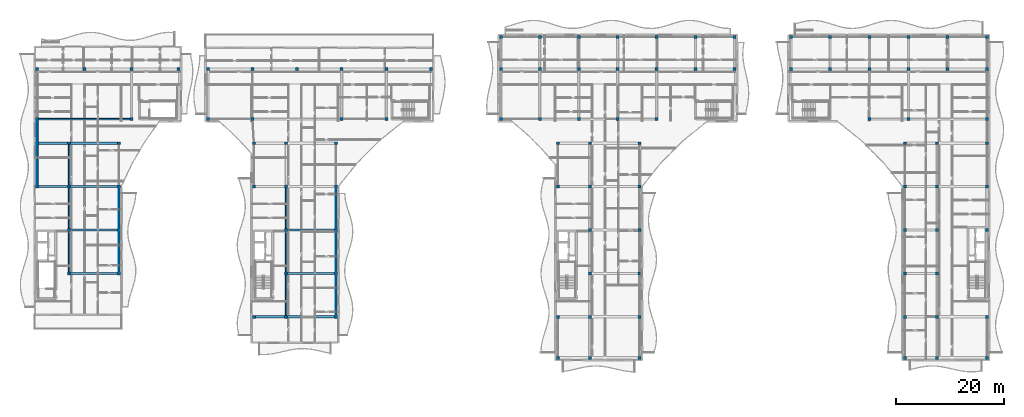
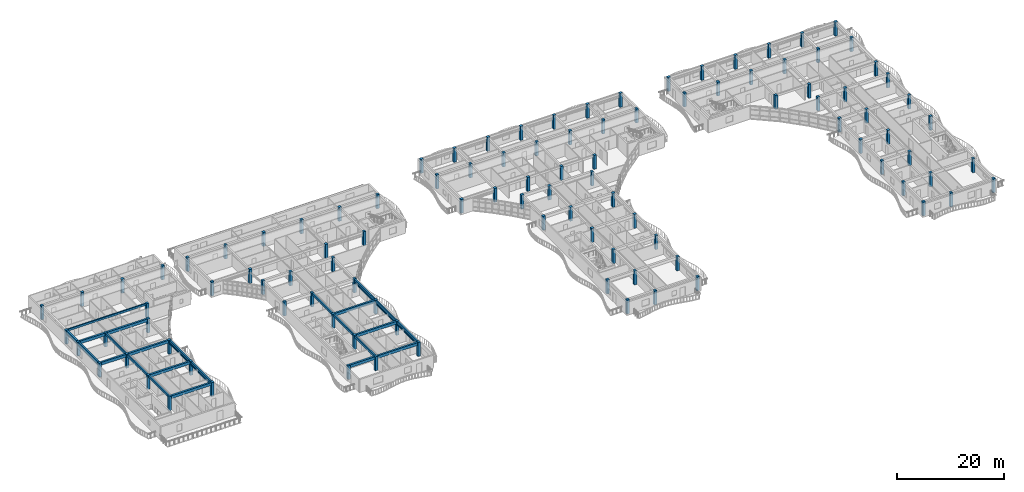
# One storey, part 1 of 68: 106 columns, 24 beams, 14 members.
"""IFC4 building model written with IfcOpenShell, lengths in metres."""

from ifc_helpers import new_model, si_unit, direction, frame, origin, origin_2d, place, context, subcontext, project, spatial, rectangle, hollow_rectangle, extrude, material, material_profile, profile_set, type_object, element, save


model = new_model("IFC4")

# Units and contexts
model_context = context("Model", 3, precision=1e-05, world=origin(), true_north=direction((0.0, 1.0)))
body_context = subcontext(model_context, "Body", "Model", "MODEL_VIEW")
ifc_project = project(units=[si_unit("LENGTHUNIT", "METRE"), si_unit("AREAUNIT", "SQUARE_METRE"), si_unit("VOLUMEUNIT", "CUBIC_METRE"), si_unit("PLANEANGLEUNIT", "RADIAN"), si_unit("MASSUNIT", "GRAM", prefix="KILO")], contexts=[model_context])

# Site, building, storey
site_placement = place(None, origin())
site = spatial("IfcSite", under=ifc_project, at=site_placement, CompositionType="ELEMENT")
building_placement = place(site_placement, origin())
building = spatial("IfcBuilding", under=site, at=building_placement, Name="Keldmere Railside Commons", CompositionType="ELEMENT")
storey_placement = place(building_placement, frame((0.0, 0.0, 23.360107421875)))
storey = spatial("IfcBuildingStorey", under=building, at=storey_placement, Name="L07", CompositionType="ELEMENT", Elevation=23.360107421875)

# Columns
ifc_material_1 = material(Name="Concrete H-35 (C35/45)", Category="concrete")
ifc_material_profile_1 = material_profile(ifc_material_1, rectangle(XDim=0.550048828125, YDim=0.550048828125, at=origin_2d()), Name="RC-550x550")
ifc_profile_set_1 = profile_set([ifc_material_profile_1], Name="Concrete H-35 (C35/45)")
column_type = type_object("IfcColumnType", Name="Upper-Mid RC Column 550x550", PredefinedType="COLUMN", material=ifc_profile_set_1)
for number, where, z_axis, x_axis, name in (
    (1, (8.449951171875, 88.0, 0.0), (0.0, 0.0, 1.0), (1.0, 0.0, 0.0), "C-550 COL-L07-0061"),
    (2, (8.449951171875, 96.0, 0.0), (0.0, 0.0, 1.0), (1.0, 0.0, 0.0), "C-550 COL-L07-0070"),
    (3, (8.449951171875, 100.449951171875, 0.0), (0.0, 0.0, 1.0), (1.0, 0.0, 0.0), "C-550 COL-L07-0079"),
    (4, (8.449951171875, 109.64990234375, 0.0), (0.0, 0.0, 1.0), (1.0, 0.0, 0.0), "C-550 COL-L07-0089"),
    (5, (14.35009765625, 72.0, 0.0), (0.0, 0.0, 1.0), (1.0, 0.0, 0.0), "C-550 COL-L07-0119"),
    (6, (14.35009765625, 80.0, 0.0), (0.0, 0.0, 1.0), (1.0, 0.0, 0.0), "C-550 COL-L07-0128"),
    (7, (14.35009765625, 88.0, 0.0), (0.0, 0.0, 1.0), (1.0, 0.0, 0.0), "C-550 COL-L07-0137"),
    (8, (14.35009765625, 96.0, 0.0), (0.0, 0.0, 1.0), (1.0, 0.0, 0.0), "C-550 COL-L07-0146"),
    (9, (17.14990234375, 109.64990234375, 0.0), (0.0, 0.0, 1.0), (1.0, 0.0, 0.0), "C-550 COL-L07-0173"),
    (10, (23.550048828125, 72.0, 0.0), (0.0, 0.0, 1.0), (1.0, 0.0, 0.0), "C-550 COL-L07-0206"),
    (11, (23.550048828125, 80.0, 0.0), (0.0, 0.0, 1.0), (1.0, 0.0, 0.0), "C-550 COL-L07-0215"),
    (12, (23.550048828125, 88.0, 0.0), (0.0, 0.0, 1.0), (1.0, 0.0, 0.0), "C-550 COL-L07-0224"),
    (13, (23.550048828125, 96.0, 0.0), (0.0, 0.0, 1.0), (1.0, 0.0, 0.0), "C-550 COL-L07-0233"),
    (14, (25.85009765625, 100.449951171875, 0.0), (0.0, 0.0, 1.0), (1.0, 0.0, 0.0), "C-550 COL-L07-0254"),
    (15, (25.85009765625, 109.64990234375, 0.0), (0.0, 0.0, 1.0), (1.0, 0.0, 0.0), "C-550 COL-L07-0264"),
    (16, (34.550048828125, 109.64990234375, 0.0), (0.0, 0.0, 1.0), (1.0, 0.0, 0.0), "C-550 COL-L07-0308"),
    (17, (39.949951171875, 100.449951171875, 0.0), (0.0, 0.0, 1.0), (1.0, 0.0, 0.0), "C-550 COL-L07-0343"),
    (18, (39.949951171875, 109.64990234375, 0.0), (0.0, 0.0, 1.0), (1.0, 0.0, 0.0), "C-550 COL-L07-0355"),
    (19, (48.169921875, 100.449951171875, 0.0), (0.0, 0.0, 1.0), (1.0, 0.0, 0.0), "C-550 COL-L07-0393"),
    (20, (48.169921875, 109.64990234375, 0.0), (0.0, 0.0, 1.0), (1.0, 0.0, 0.0), "C-550 COL-L07-0405"),
    (21, (48.449951171875, 64.0, 0.0), (0.0, 0.0, 1.0), (1.0, 0.0, 0.0), "C-550 COL-L07-0446"),
    (22, (48.449951171875, 88.0, 0.0), (0.0, 0.0, 1.0), (1.0, 0.0, 0.0), "C-550 COL-L07-0456"),
    (23, (48.449951171875, 96.0, 0.0), (0.0, 0.0, 1.0), (1.0, 0.0, 0.0), "C-550 COL-L07-0467"),
    (24, (54.35009765625, 64.0, 0.0), (0.0, 0.0, 1.0), (1.0, 0.0, 0.0), "C-550 COL-L07-0492"),
    (25, (54.35009765625, 72.0, 0.0), (0.0, 0.0, 1.0), (1.0, 0.0, 0.0), "C-550 COL-L07-0502"),
    (26, (54.35009765625, 80.0, 0.0), (0.0, 0.0, 1.0), (1.0, 0.0, 0.0), "C-550 COL-L07-0513"),
    (27, (54.35009765625, 88.0, 0.0), (0.0, 0.0, 1.0), (1.0, 0.0, 0.0), "C-550 COL-L07-0524"),
    (28, (54.35009765625, 96.0, 0.0), (0.0, 0.0, 1.0), (1.0, 0.0, 0.0), "C-550 COL-L07-0535"),
    (29, (56.389892578125, 109.64990234375, 0.0), (0.0, 0.0, 1.0), (1.0, 0.0, 0.0), "C-550 COL-L07-0547"),
    (30, (63.550048828125, 64.0, 0.0), (0.0, 0.0, 1.0), (1.0, 0.0, 0.0), "C-550 COL-L07-0578"),
    (31, (63.550048828125, 72.0, 0.0), (0.0, 0.0, 1.0), (1.0, 0.0, 0.0), "C-550 COL-L07-0588"),
    (32, (63.550048828125, 80.0, 0.0), (0.0, 0.0, 1.0), (1.0, 0.0, 0.0), "C-550 COL-L07-0599"),
    (33, (63.550048828125, 88.0, 0.0), (0.0, 0.0, 1.0), (1.0, 0.0, 0.0), "C-550 COL-L07-0610"),
    (34, (63.550048828125, 96.0, 0.0), (0.0, 0.0, 1.0), (1.0, 0.0, 0.0), "C-550 COL-L07-0621"),
    (35, (64.610107421875, 100.449951171875, 0.0), (0.0, 0.0, 1.0), (1.0, 0.0, 0.0), "C-550 COL-L07-0647"),
    (36, (64.610107421875, 109.64990234375, 0.0), (0.0, 0.0, 1.0), (1.0, 0.0, 0.0), "C-550 COL-L07-0659"),
    (37, (72.830078125, 100.449951171875, 0.0), (0.0, 0.0, 1.0), (1.0, 0.0, 0.0), "C-550 COL-L07-0692"),
    (38, (72.830078125, 109.64990234375, 0.0), (0.0, 0.0, 1.0), (1.0, 0.0, 0.0), "C-550 COL-L07-0704"),
    (39, (81.050048828125, 109.64990234375, 0.0), (0.0, 0.0, 1.0), (1.0, 0.0, 0.0), "C-550 COL-L07-0757"),
    (40, (93.949951171875, 100.449951171875, 0.0), (0.0, 0.0, 1.0), (1.0, 0.0, 0.0), "C-550 COL-L07-0817"),
    (41, (93.949951171875, 109.64990234375, 0.0), (0.0, 0.0, 1.0), (1.0, 0.0, 0.0), "C-550 COL-L07-0831"),
    (42, (93.949951171875, 115.550048828125, 0.0), (0.0, 0.0, 1.0), (1.0, 0.0, 0.0), "C-550 COL-L07-0844"),
    (43, (101.133056640625, 100.449951171875, 0.0), (0.0, 0.0, 1.0), (1.0, 0.0, 0.0), "C-550 COL-L07-0886"),
    (44, (101.133056640625, 109.64990234375, 0.0), (0.0, 0.0, 1.0), (1.0, 0.0, 0.0), "C-550 COL-L07-0900"),
    (45, (101.133056640625, 115.550048828125, 0.0), (0.0, 0.0, 1.0), (1.0, 0.0, 0.0), "C-550 COL-L07-0913"),
    (46, (104.449951171875, 56.449951171875, 0.0), (0.0, 0.0, 1.0), (1.0, 0.0, 0.0), "C-550 COL-L07-0928"),
    (47, (104.449951171875, 64.0, 0.0), (0.0, 0.0, 1.0), (1.0, 0.0, 0.0), "C-550 COL-L07-0937"),
    (48, (104.449951171875, 88.0, 0.0), (0.0, 0.0, 1.0), (1.0, 0.0, 0.0), "C-550 COL-L07-0949"),
    (49, (104.449951171875, 96.0, 0.0), (0.0, 0.0, 1.0), (1.0, 0.0, 0.0), "C-550 COL-L07-0962"),
    (50, (108.31689453125, 100.449951171875, 0.0), (0.0, 0.0, 1.0), (1.0, 0.0, 0.0), "C-550 COL-L07-0986"),
    (51, (108.31689453125, 109.64990234375, 0.0), (0.0, 0.0, 1.0), (1.0, 0.0, 0.0), "C-550 COL-L07-1000"),
    (52, (108.31689453125, 115.550048828125, 0.0), (0.0, 0.0, 1.0), (1.0, 0.0, 0.0), "C-550 COL-L07-1013"),
    (53, (110.35009765625, 56.449951171875, 0.0), (0.0, 0.0, 1.0), (1.0, 0.0, 0.0), "C-550 COL-L07-1022"),
    (54, (110.35009765625, 64.0, 0.0), (0.0, 0.0, 1.0), (1.0, 0.0, 0.0), "C-550 COL-L07-1031"),
    (55, (110.35009765625, 72.0, 0.0), (0.0, 0.0, 1.0), (1.0, 0.0, 0.0), "C-550 COL-L07-1043"),
    (56, (110.35009765625, 80.0, 0.0), (0.0, 0.0, 1.0), (1.0, 0.0, 0.0), "C-550 COL-L07-1056"),
    (57, (110.35009765625, 88.0, 0.0), (0.0, 0.0, 1.0), (1.0, 0.0, 0.0), "C-550 COL-L07-1069"),
    (58, (110.35009765625, 96.0, 0.0), (0.0, 0.0, 1.0), (1.0, 0.0, 0.0), "C-550 COL-L07-1082"),
    (59, (115.5, 100.449951171875, 0.0), (0.0, 0.0, 1.0), (1.0, 0.0, 0.0), "C-550 COL-L07-1103"),
    (60, (115.5, 109.64990234375, 0.0), (0.0, 0.0, 1.0), (1.0, 0.0, 0.0), "C-550 COL-L07-1117"),
    (61, (115.5, 115.550048828125, 0.0), (0.0, 0.0, 1.0), (1.0, 0.0, 0.0), "C-550 COL-L07-1130"),
    (62, (119.550048828125, 56.449951171875, 0.0), (0.0, 0.0, 1.0), (1.0, 0.0, 0.0), "C-550 COL-L07-1139"),
    (63, (119.550048828125, 64.0, 0.0), (0.0, 0.0, 1.0), (1.0, 0.0, 0.0), "C-550 COL-L07-1148"),
    (64, (119.550048828125, 72.0, 0.0), (0.0, 0.0, 1.0), (1.0, 0.0, 0.0), "C-550 COL-L07-1160"),
    (65, (119.550048828125, 80.0, 0.0), (0.0, 0.0, 1.0), (1.0, 0.0, 0.0), "C-550 COL-L07-1173"),
    (66, (119.550048828125, 88.0, 0.0), (0.0, 0.0, 1.0), (1.0, 0.0, 0.0), "C-550 COL-L07-1186"),
    (67, (119.550048828125, 96.0, 0.0), (0.0, 0.0, 1.0), (1.0, 0.0, 0.0), "C-550 COL-L07-1199"),
    (68, (122.68310546875, 100.449951171875, 0.0), (0.0, 0.0, 1.0), (1.0, 0.0, 0.0), "C-550 COL-L07-1241"),
    (69, (122.68310546875, 109.64990234375, 0.0), (0.0, 0.0, 1.0), (1.0, 0.0, 0.0), "C-550 COL-L07-1255"),
    (70, (122.68310546875, 115.550048828125, 0.0), (0.0, 0.0, 1.0), (1.0, 0.0, 0.0), "C-550 COL-L07-1268"),
    (71, (129.866943359375, 109.64990234375, 0.0), (0.0, 0.0, 1.0), (1.0, 0.0, 0.0), "C-550 COL-L07-1300"),
    (72, (129.866943359375, 115.550048828125, 0.0), (0.0, 0.0, 1.0), (1.0, 0.0, 0.0), "C-550 COL-L07-1313"),
    (73, (137.050048828125, 109.64990234375, 0.0), (0.0, 0.0, 1.0), (1.0, 0.0, 0.0), "C-550 COL-L07-1350"),
    (74, (137.050048828125, 115.550048828125, 0.0), (0.0, 0.0, 1.0), (1.0, 0.0, 0.0), "C-550 COL-L07-1363"),
    (75, (147.449951171875, 109.64990234375, 0.0), (0.0, 0.0, 1.0), (1.0, 0.0, 0.0), "C-550 COL-L07-1380"),
    (76, (147.449951171875, 115.550048828125, 0.0), (0.0, 0.0, 1.0), (1.0, 0.0, 0.0), "C-550 COL-L07-1395"),
    (77, (154.669921875, 109.64990234375, 0.0), (0.0, 0.0, 1.0), (1.0, 0.0, 0.0), "C-550 COL-L07-1432"),
    (78, (154.669921875, 115.550048828125, 0.0), (0.0, 0.0, 1.0), (1.0, 0.0, 0.0), "C-550 COL-L07-1447"),
    (79, (161.889892578125, 100.449951171875, 0.0), (0.0, 0.0, 1.0), (1.0, 0.0, 0.0), "C-550 COL-L07-1485"),
    (80, (161.889892578125, 109.64990234375, 0.0), (0.0, 0.0, 1.0), (1.0, 0.0, 0.0), "C-550 COL-L07-1501"),
    (81, (161.889892578125, 115.550048828125, 0.0), (0.0, 0.0, 1.0), (1.0, 0.0, 0.0), "C-550 COL-L07-1516"),
    (82, (168.449951171875, 56.449951171875, 0.0), (0.0, 0.0, 1.0), (1.0, 0.0, 0.0), "C-550 COL-L07-1551"),
    (83, (168.449951171875, 64.0, 0.0), (0.0, 0.0, 1.0), (1.0, 0.0, 0.0), "C-550 COL-L07-1561"),
    (84, (168.449951171875, 72.0, 0.0), (0.0, 0.0, 1.0), (1.0, 0.0, 0.0), "C-550 COL-L07-1575"),
    (85, (168.449951171875, 80.0, 0.0), (0.0, 0.0, 1.0), (1.0, 0.0, 0.0), "C-550 COL-L07-1590"),
    (86, (168.449951171875, 88.0, 0.0), (0.0, 0.0, 1.0), (1.0, 0.0, 0.0), "C-550 COL-L07-1605"),
    (87, (168.449951171875, 96.0, 0.0), (0.0, 0.0, 1.0), (1.0, 0.0, 0.0), "C-550 COL-L07-1620"),
    (88, (169.110107421875, 100.449951171875, 0.0), (0.0, 0.0, 1.0), (1.0, 0.0, 0.0), "C-550 COL-L07-1635"),
    (89, (169.110107421875, 109.64990234375, 0.0), (0.0, 0.0, 1.0), (1.0, 0.0, 0.0), "C-550 COL-L07-1651"),
    (90, (169.110107421875, 115.550048828125, 0.0), (0.0, 0.0, 1.0), (1.0, 0.0, 0.0), "C-550 COL-L07-1666"),
    (91, (174.35009765625, 56.449951171875, 0.0), (0.0, 0.0, 1.0), (1.0, 0.0, 0.0), "C-550 COL-L07-1677"),
    (92, (174.35009765625, 64.0, 0.0), (0.0, 0.0, 1.0), (1.0, 0.0, 0.0), "C-550 COL-L07-1687"),
    (93, (174.35009765625, 72.0, 0.0), (0.0, 0.0, 1.0), (1.0, 0.0, 0.0), "C-550 COL-L07-1701"),
    (94, (174.35009765625, 80.0, 0.0), (0.0, 0.0, 1.0), (1.0, 0.0, 0.0), "C-550 COL-L07-1716"),
    (95, (174.35009765625, 88.0, 0.0), (0.0, 0.0, 1.0), (1.0, 0.0, 0.0), "C-550 COL-L07-1731"),
    (96, (174.35009765625, 96.0, 0.0), (0.0, 0.0, 1.0), (1.0, 0.0, 0.0), "C-550 COL-L07-1746"),
    (97, (176.330078125, 109.64990234375, 0.0), (0.0, 0.0, 1.0), (1.0, 0.0, 0.0), "C-550 COL-L07-1779"),
    (98, (176.330078125, 115.550048828125, 0.0), (0.0, 0.0, 1.0), (1.0, 0.0, 0.0), "C-550 COL-L07-1794"),
    (99, (183.550048828125, 56.449951171875, 0.0), (0.0, 0.0, 1.0), (1.0, 0.0, 0.0), "C-550 COL-L07-1809"),
    (100, (183.550048828125, 64.0, 0.0), (0.0, 0.0, 1.0), (1.0, 0.0, 0.0), "C-550 COL-L07-1819"),
    (101, (183.550048828125, 80.0, 0.0), (0.0, 0.0, 1.0), (1.0, 0.0, 0.0), "C-550 COL-L07-1833"),
    (102, (183.550048828125, 88.0, 0.0), (0.0, 0.0, 1.0), (1.0, 0.0, 0.0), "C-550 COL-L07-1848"),
    (103, (183.550048828125, 96.0, 0.0), (0.0, 0.0, 1.0), (1.0, 0.0, 0.0), "C-550 COL-L07-1863"),
    (104, (183.550048828125, 100.449951171875, 0.0), (0.0, 0.0, 1.0), (1.0, 0.0, 0.0), "C-550 COL-L07-1878"),
    (105, (183.550048828125, 109.64990234375, 0.0), (0.0, 0.0, 1.0), (1.0, 0.0, 0.0), "C-550 COL-L07-1894"),
    (106, (183.550048828125, 115.550048828125, 0.0), (0.0, 0.0, 1.0), (1.0, 0.0, 0.0), "C-550 COL-L07-1909"),
):
    element("IfcColumn", number, at=place(storey_placement, frame(where, z_axis=z_axis, x_axis=x_axis)), inside=storey, type_object=column_type, Name=name, PredefinedType="COLUMN", context=body_context, shape_type="SweptSolid", body=[
        extrude(rectangle(XDim=0.550048828125, YDim=0.550048828125, at=origin_2d()), origin(), (0.0, 0.0, 1.0), 3.199951171875),
    ])

# Members
ifc_material_2 = material(Name="Steel F-36 (S355)", Category="steel")
ifc_material_profile_2 = material_profile(ifc_material_2, hollow_rectangle(XDim=0.14990234375, YDim=0.25, WallThickness=0.010009765625, at=origin_2d()), Name="RHS-250x150x10")
ifc_profile_set_2 = profile_set([ifc_material_profile_2], Name="Steel F-36 (S355)")
member_type_1 = type_object("IfcMemberType", Name="Balcony Continuous Planted Trough RHS250x150", PredefinedType="CHORD", material=ifc_profile_set_2)
member_1_placement = place(storey_placement, frame((8.449951171875, 88.27490234375, 2.414794921875), z_axis=(0.0, 1.0, 0.0), x_axis=(-1.0, 0.0, 0.0)))
element("IfcMember", 107, at=member_1_placement, inside=storey, type_object=member_type_1, Name="PLT-1 MEM-BPLT-0781", PredefinedType="CHORD", context=body_context, shape_type="SweptSolid", body=[
    extrude(hollow_rectangle(XDim=0.14990234375, YDim=0.25, WallThickness=0.010009765625, at=origin_2d()), origin(), (0.0, 0.0, 1.0), 7.4501953125),
])
member_2_placement = place(storey_placement, frame((8.449951171875, 96.27490234375, 2.414794921875), z_axis=(0.0, 1.0, 0.0), x_axis=(-1.0, 0.0, 0.0)))
element("IfcMember", 108, at=member_2_placement, inside=storey, type_object=member_type_1, Name="PLT-1 MEM-BPLT-0783", PredefinedType="CHORD", context=body_context, shape_type="SweptSolid", body=[
    extrude(hollow_rectangle(XDim=0.14990234375, YDim=0.25, WallThickness=0.010009765625, at=origin_2d()), origin(), (0.0, 0.0, 1.0), 3.900146484375),
])
for number, where, z_axis, x_axis, name in (
    (109, (23.550048828125, 72.27490234375, 2.414794921875), (0.0, 1.0, 0.0), (-1.0, 0.0, 0.0), "PLT-1 MEM-BPLT-0787"),
    (110, (23.550048828125, 80.27490234375, 2.414794921875), (0.0, 1.0, 0.0), (-1.0, 0.0, 0.0), "PLT-1 MEM-BPLT-0789"),
    (111, (63.550048828125, 64.27490234375, 2.414794921875), (0.0, 1.0, 0.0), (-1.0, 0.0, 0.0), "PLT-1 MEM-BPLT-0803"),
    (112, (63.550048828125, 72.27490234375, 2.414794921875), (0.0, 1.0, 0.0), (-1.0, 0.0, 0.0), "PLT-1 MEM-BPLT-0805"),
    (113, (63.550048828125, 80.27490234375, 2.414794921875), (0.0, 1.0, 0.0), (-1.0, 0.0, 0.0), "PLT-1 MEM-BPLT-0807"),
):
    element("IfcMember", number, at=place(storey_placement, frame(where, z_axis=z_axis, x_axis=x_axis)), inside=storey, type_object=member_type_1, Name=name, PredefinedType="CHORD", context=body_context, shape_type="SweptSolid", body=[
        extrude(hollow_rectangle(XDim=0.14990234375, YDim=0.25, WallThickness=0.010009765625, at=origin_2d()), origin(), (0.0, 0.0, 1.0), 7.4501953125),
    ])

# Beams
ifc_material_3 = material(Name="Architectural Precast Concrete H-35 (C35/45)", Category="concrete")
ifc_material_profile_3 = material_profile(ifc_material_3, rectangle(XDim=0.25, YDim=0.449951171875, at=origin_2d()), Name="RC-250x450")
ifc_profile_set_3 = profile_set([ifc_material_profile_3], Name="Architectural Precast Concrete H-35 (C35/45)")
beam_type_1 = type_object("IfcBeamType", Name="Perimeter Precast Spandrel Beam 250x450", PredefinedType="SPANDREL", material=ifc_profile_set_3)
beam_1_placement = place(storey_placement, frame((8.72509765625, 100.449951171875, 2.974853515625), z_axis=(1.0, 0.0, 0.0), x_axis=(0.0, 1.0, 0.0)))
element("IfcBeam", 114, at=beam_1_placement, inside=storey, type_object=beam_type_1, Name="SPB-1 BM-L07-2054", PredefinedType="SPANDREL", context=body_context, shape_type="SweptSolid", body=[
    extrude(rectangle(XDim=0.25, YDim=0.449951171875, at=origin_2d()), origin(), (0.0, 0.0, 1.0), 16.849853515625),
])
ifc_material_4 = material(Name="Concrete H-30 (C30/37)", Category="concrete")
ifc_material_profile_4 = material_profile(ifc_material_4, rectangle(XDim=0.35009765625, YDim=0.60009765625, at=origin_2d()), Name="RC-350x600")
ifc_profile_set_4 = profile_set([ifc_material_profile_4], Name="Concrete H-30 (C30/37)")
beam_type_2 = type_object("IfcBeamType", Name="Residential Chord RC Beam 350x600", PredefinedType="BEAM", material=ifc_profile_set_4)
beam_2_placement = place(storey_placement, frame((8.449951171875, 88.27490234375, 2.89990234375), z_axis=(0.0, 1.0, 0.0), x_axis=(-1.0, 0.0, 0.0)))
element("IfcBeam", 115, at=beam_2_placement, inside=storey, type_object=beam_type_2, Name="BG-4 BM-L07-2094", PredefinedType="BEAM", context=body_context, shape_type="SweptSolid", body=[
    extrude(rectangle(XDim=0.35009765625, YDim=0.60009765625, at=origin_2d()), origin(), (0.0, 0.0, 1.0), 7.4501953125),
])
beam_3_placement = place(storey_placement, frame((8.449951171875, 96.27490234375, 2.89990234375), z_axis=(0.0, 1.0, 0.0), x_axis=(-1.0, 0.0, 0.0)))
element("IfcBeam", 116, at=beam_3_placement, inside=storey, type_object=beam_type_2, Name="BG-4 BM-L07-2095", PredefinedType="BEAM", context=body_context, shape_type="SweptSolid", body=[
    extrude(rectangle(XDim=0.35009765625, YDim=0.60009765625, at=origin_2d()), origin(), (0.0, 0.0, 1.0), 3.900146484375),
])
ifc_material_profile_5 = material_profile(ifc_material_4, rectangle(XDim=0.39990234375, YDim=0.64990234375, at=origin_2d()), Name="RC-400x650")
ifc_profile_set_5 = profile_set([ifc_material_profile_5], Name="Concrete H-30 (C30/37)")
beam_type_3 = type_object("IfcBeamType", Name="Residential Spine RC Girder 400x650", PredefinedType="BEAM", material=ifc_profile_set_5)
beam_4_placement = place(storey_placement, frame((48.72509765625, 64.0, 2.875), z_axis=(1.0, 0.0, 0.0), x_axis=(0.0, 1.0, 0.0)))
element("IfcBeam", 117, at=beam_4_placement, inside=storey, type_object=beam_type_3, Name="BG-3 BM-L07-2024", PredefinedType="BEAM", context=body_context, shape_type="SweptSolid", body=[
    extrude(rectangle(XDim=0.39990234375, YDim=0.64990234375, at=origin_2d()), origin(), (0.0, 0.0, 1.0), 5.349853515625),
])
for number, where, z_axis, x_axis, name in (
    (118, (54.625, 64.0, 2.875), (1.0, 0.0, 0.0), (0.0, 1.0, 0.0), "BG-3 BM-L07-2025"),
    (119, (14.625, 72.0, 2.875), (1.0, 0.0, 0.0), (0.0, 1.0, 0.0), "BG-3 BM-L07-2030"),
    (120, (54.625, 72.0, 2.875), (1.0, 0.0, 0.0), (0.0, 1.0, 0.0), "BG-3 BM-L07-2031"),
    (121, (14.625, 80.0, 2.875), (1.0, 0.0, 0.0), (0.0, 1.0, 0.0), "BG-3 BM-L07-2034"),
    (122, (54.625, 80.0, 2.875), (1.0, 0.0, 0.0), (0.0, 1.0, 0.0), "BG-3 BM-L07-2035"),
):
    element("IfcBeam", number, at=place(storey_placement, frame(where, z_axis=z_axis, x_axis=x_axis)), inside=storey, type_object=beam_type_3, Name=name, PredefinedType="BEAM", context=body_context, shape_type="SweptSolid", body=[
        extrude(rectangle(XDim=0.39990234375, YDim=0.64990234375, at=origin_2d()), origin(), (0.0, 0.0, 1.0), 8.64990234375),
    ])
beam_5_placement = place(storey_placement, frame((8.72509765625, 88.0, 2.875), z_axis=(1.0, 0.0, 0.0), x_axis=(0.0, 1.0, 0.0)))
element("IfcBeam", 123, at=beam_5_placement, inside=storey, type_object=beam_type_3, Name="BG-3 BM-L07-2038", PredefinedType="BEAM", context=body_context, shape_type="SweptSolid", body=[
    extrude(rectangle(XDim=0.39990234375, YDim=0.64990234375, at=origin_2d()), origin(), (0.0, 0.0, 1.0), 5.349853515625),
])
beam_6_placement = place(storey_placement, frame((14.625, 88.0, 2.875), z_axis=(1.0, 0.0, 0.0), x_axis=(0.0, 1.0, 0.0)))
element("IfcBeam", 124, at=beam_6_placement, inside=storey, type_object=beam_type_3, Name="BG-3 BM-L07-2039", PredefinedType="BEAM", context=body_context, shape_type="SweptSolid", body=[
    extrude(rectangle(XDim=0.39990234375, YDim=0.64990234375, at=origin_2d()), origin(), (0.0, 0.0, 1.0), 8.64990234375),
])
beam_7_placement = place(storey_placement, frame((8.72509765625, 96.0, 2.875), z_axis=(1.0, 0.0, 0.0), x_axis=(0.0, 1.0, 0.0)))
element("IfcBeam", 125, at=beam_7_placement, inside=storey, type_object=beam_type_3, Name="BG-3 BM-L07-2046", PredefinedType="BEAM", context=body_context, shape_type="SweptSolid", body=[
    extrude(rectangle(XDim=0.39990234375, YDim=0.64990234375, at=origin_2d()), origin(), (0.0, 0.0, 1.0), 5.349853515625),
])
beam_8_placement = place(storey_placement, frame((14.625, 96.0, 2.875), z_axis=(1.0, 0.0, 0.0), x_axis=(0.0, 1.0, 0.0)))
element("IfcBeam", 126, at=beam_8_placement, inside=storey, type_object=beam_type_3, Name="BG-3 BM-L07-2047", PredefinedType="BEAM", context=body_context, shape_type="SweptSolid", body=[
    extrude(rectangle(XDim=0.39990234375, YDim=0.64990234375, at=origin_2d()), origin(), (0.0, 0.0, 1.0), 8.64990234375),
])
ifc_material_profile_6 = material_profile(ifc_material_4, rectangle(XDim=0.300048828125, YDim=0.5, at=origin_2d()), Name="RC-300x500")
ifc_profile_set_6 = profile_set([ifc_material_profile_6], Name="Concrete H-30 (C30/37)")
beam_type_4 = type_object("IfcBeamType", Name="Secondary Frame RC Beam 300x500", PredefinedType="BEAM", material=ifc_profile_set_6)
for number, where, z_axis, x_axis, name in (
    (127, (14.35009765625, 72.27490234375, 2.949951171875), (0.0, 1.0, 0.0), (-1.0, 0.0, 0.0), "BG-5 BM-L07-2097"),
    (128, (14.35009765625, 80.27490234375, 2.949951171875), (0.0, 1.0, 0.0), (-1.0, 0.0, 0.0), "BG-5 BM-L07-2098"),
    (129, (14.35009765625, 88.27490234375, 2.949951171875), (0.0, 1.0, 0.0), (-1.0, 0.0, 0.0), "BG-5 BM-L07-2099"),
    (130, (23.550048828125, 72.27490234375, 2.949951171875), (0.0, 1.0, 0.0), (-1.0, 0.0, 0.0), "BG-5 BM-L07-2100"),
    (131, (23.550048828125, 80.27490234375, 2.949951171875), (0.0, 1.0, 0.0), (-1.0, 0.0, 0.0), "BG-5 BM-L07-2101"),
    (132, (54.35009765625, 64.27490234375, 2.949951171875), (0.0, 1.0, 0.0), (-1.0, 0.0, 0.0), "BG-5 BM-L07-2107"),
    (133, (54.35009765625, 72.27490234375, 2.949951171875), (0.0, 1.0, 0.0), (-1.0, 0.0, 0.0), "BG-5 BM-L07-2108"),
    (134, (54.35009765625, 80.27490234375, 2.949951171875), (0.0, 1.0, 0.0), (-1.0, 0.0, 0.0), "BG-5 BM-L07-2109"),
    (135, (63.550048828125, 64.27490234375, 2.949951171875), (0.0, 1.0, 0.0), (-1.0, 0.0, 0.0), "BG-5 BM-L07-2111"),
    (136, (63.550048828125, 72.27490234375, 2.949951171875), (0.0, 1.0, 0.0), (-1.0, 0.0, 0.0), "BG-5 BM-L07-2112"),
    (137, (63.550048828125, 80.27490234375, 2.949951171875), (0.0, 1.0, 0.0), (-1.0, 0.0, 0.0), "BG-5 BM-L07-2113"),
):
    element("IfcBeam", number, at=place(storey_placement, frame(where, z_axis=z_axis, x_axis=x_axis)), inside=storey, type_object=beam_type_4, Name=name, PredefinedType="BEAM", context=body_context, shape_type="SweptSolid", body=[
        extrude(rectangle(XDim=0.300048828125, YDim=0.5, at=origin_2d()), origin(), (0.0, 0.0, 1.0), 7.4501953125),
    ])

# Members
ifc_material_profile_7 = material_profile(ifc_material_2, hollow_rectangle(XDim=0.10009765625, YDim=0.159912109375, WallThickness=0.008056640625, at=origin_2d()), Name="RHS-160x100x8")
ifc_profile_set_7 = profile_set([ifc_material_profile_7], Name="Steel F-36 (S355)")
member_type_2 = type_object("IfcMemberType", Name="Solar Brise-Soleil Louvre Fin RHS160x100", PredefinedType="STRUT", material=ifc_profile_set_7)
member_3_placement = place(storey_placement, frame((8.449951171875, 88.27490234375, 2.199951171875), z_axis=(0.0, 1.0, 0.0), x_axis=(-1.0, 0.0, 0.0)))
element("IfcMember", 138, at=member_3_placement, inside=storey, type_object=member_type_2, Name="BSF-1 MEM-BSF-0782", PredefinedType="STRUT", context=body_context, shape_type="SweptSolid", body=[
    extrude(hollow_rectangle(XDim=0.10009765625, YDim=0.159912109375, WallThickness=0.008056640625, at=origin_2d()), origin(), (0.0, 0.0, 1.0), 7.4501953125),
])
member_4_placement = place(storey_placement, frame((8.449951171875, 96.27490234375, 2.199951171875), z_axis=(0.0, 1.0, 0.0), x_axis=(-1.0, 0.0, 0.0)))
element("IfcMember", 139, at=member_4_placement, inside=storey, type_object=member_type_2, Name="BSF-1 MEM-BSF-0784", PredefinedType="STRUT", context=body_context, shape_type="SweptSolid", body=[
    extrude(hollow_rectangle(XDim=0.10009765625, YDim=0.159912109375, WallThickness=0.008056640625, at=origin_2d()), origin(), (0.0, 0.0, 1.0), 3.900146484375),
])
for number, where, z_axis, x_axis, name in (
    (140, (23.550048828125, 72.27490234375, 2.199951171875), (0.0, 1.0, 0.0), (-1.0, 0.0, 0.0), "BSF-1 MEM-BSF-0788"),
    (141, (23.550048828125, 80.27490234375, 2.199951171875), (0.0, 1.0, 0.0), (-1.0, 0.0, 0.0), "BSF-1 MEM-BSF-0790"),
    (142, (63.550048828125, 64.27490234375, 2.199951171875), (0.0, 1.0, 0.0), (-1.0, 0.0, 0.0), "BSF-1 MEM-BSF-0804"),
    (143, (63.550048828125, 72.27490234375, 2.199951171875), (0.0, 1.0, 0.0), (-1.0, 0.0, 0.0), "BSF-1 MEM-BSF-0806"),
    (144, (63.550048828125, 80.27490234375, 2.199951171875), (0.0, 1.0, 0.0), (-1.0, 0.0, 0.0), "BSF-1 MEM-BSF-0808"),
):
    element("IfcMember", number, at=place(storey_placement, frame(where, z_axis=z_axis, x_axis=x_axis)), inside=storey, type_object=member_type_2, Name=name, PredefinedType="STRUT", context=body_context, shape_type="SweptSolid", body=[
        extrude(hollow_rectangle(XDim=0.10009765625, YDim=0.159912109375, WallThickness=0.008056640625, at=origin_2d()), origin(), (0.0, 0.0, 1.0), 7.4501953125),
    ])

save(model, "model.ifc")
